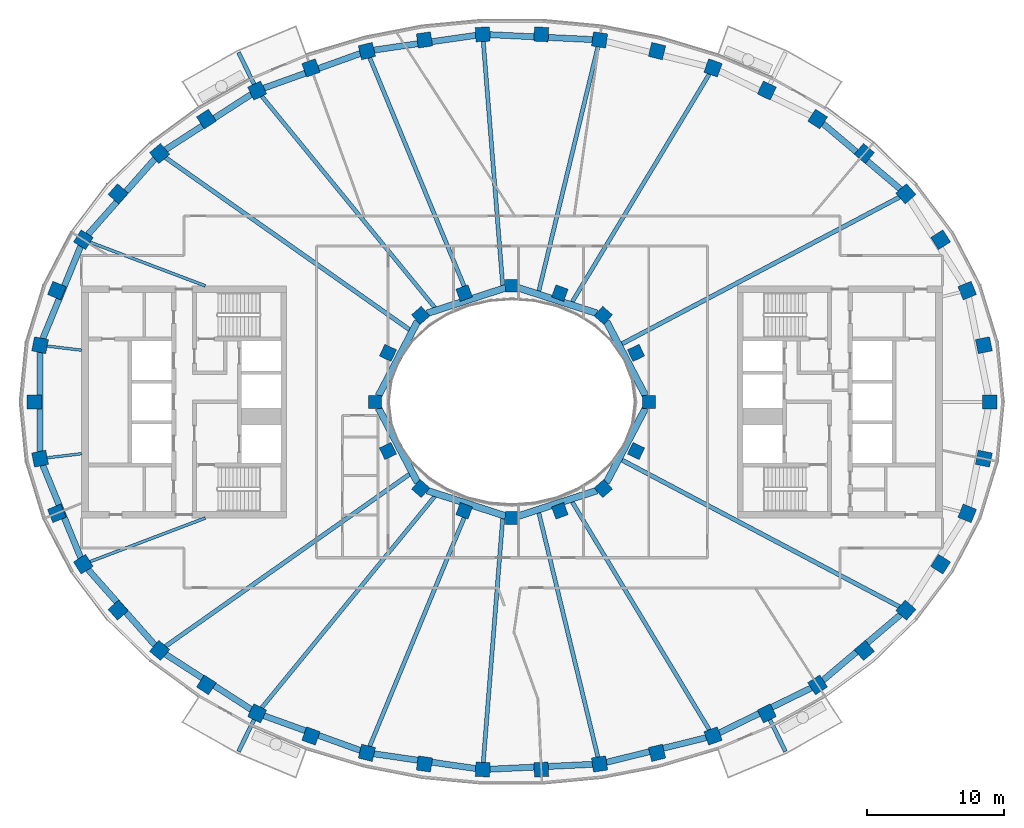
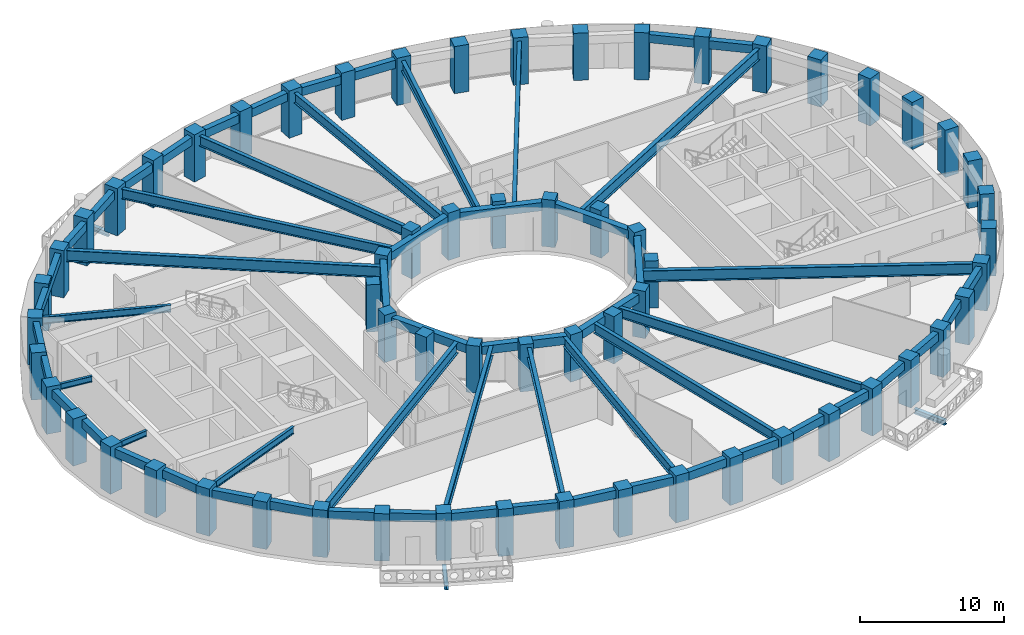
# One storey, part 1 of 15: 62 columns, 46 beams.
"""IFC4 building model written with IfcOpenShell, lengths in metres."""

from ifc_helpers import new_model, si_unit, direction, frame, origin, origin_2d, place, context, subcontext, project, spatial, rectangle, i_section, extrude, material, material_profile, profile_set, type_object, element, save


model = new_model("IFC4")

# Units and contexts
model_context = context("Model", 3, precision=1e-05, world=origin(), true_north=direction((0.0, 1.0)))
body_context = subcontext(model_context, "Body", "Model", "MODEL_VIEW")
ifc_project = project(units=[si_unit("LENGTHUNIT", "METRE"), si_unit("AREAUNIT", "SQUARE_METRE"), si_unit("VOLUMEUNIT", "CUBIC_METRE"), si_unit("PLANEANGLEUNIT", "RADIAN"), si_unit("MASSUNIT", "GRAM", prefix="KILO")], contexts=[model_context])

# Site, building, storey
site_placement = place(None, origin())
site = spatial("IfcSite", under=ifc_project, at=site_placement, CompositionType="ELEMENT")
building_placement = place(site_placement, origin())
building = spatial("IfcBuilding", under=site, at=building_placement, Name="Noorbagh Ring Tower", CompositionType="ELEMENT")
storey_placement = place(building_placement, frame((0.0, 0.0, 277.5)))
storey = spatial("IfcBuildingStorey", under=building, at=storey_placement, Name="L59", CompositionType="ELEMENT", Elevation=277.5)

# Columns
ifc_material_1 = material(Name="Concrete C50/60", Category="concrete")
ifc_material_profile_1 = material_profile(ifc_material_1, rectangle(XDim=1.050048828125, YDim=1.050048828125, at=origin_2d()), Name="RC1050x1050")
ifc_profile_set_1 = profile_set([ifc_material_profile_1], Name="Concrete C50/60")
column_type_1 = type_object("IfcColumnType", Name="STR-COL-RC1050x1050-C50-60", PredefinedType="COLUMN", material=ifc_profile_set_1)
for number, where, z_axis, x_axis, name in (
    (1, (34.944580078125, 0.0, 0.0), (0.0, 0.0, 1.0), (0.0, 1.0, 0.0), "L59/col/R1-01"),
    (2, (34.52685546875, 4.150634765625, 0.0), (0.0, 0.0, 1.0), (-0.19723040178, 0.9803571638, 0.0), "L59/col/R1-02"),
    (3, (33.30517578125, 8.1494140625, 0.0), (0.0, 0.0, 1.0), (-0.378989499959, 0.925400971969, 0.0), "L59/col/R1-03"),
    (4, (31.364990234375, 11.87109375, 0.0), (0.0, 0.0, 1.0), (-0.535190403059, 0.844731455833, 0.0), "L59/col/R1-04"),
    (5, (28.81884765625, 15.23046875, 0.0), (0.0, 0.0, 1.0), (-0.662635642662, 0.748941923699, 0.0), "L59/col/R1-05"),
    (6, (25.78271484375, 18.180419921875, 0.0), (0.0, 0.0, 1.0), (-0.763035199656, 0.646356932419, 0.0), "L59/col/R1-06"),
    (7, (22.362060546875, 20.699951171875, 0.0), (0.0, 0.0, 1.0), (-0.840247639643, 0.542202825586, 0.0), "L59/col/R1-07"),
    (8, (18.646240234375, 22.785400390625, 0.0), (0.0, 0.0, 1.0), (-0.898399080868, 0.439180021741, 0.0), "L59/col/R1-08"),
    (9, (14.70947265625, 24.44091796875, 0.0), (0.0, 0.0, 1.0), (-0.941024726094, 0.338337797003, 0.0), "L59/col/R1-09"),
    (10, (10.61328125, 25.673583984375, 0.0), (0.0, 0.0, 1.0), (-0.970829360981, 0.239771457553, 0.0), "L59/col/R1-10"),
    (11, (6.4091796875, 26.49072265625, 0.0), (0.0, 0.0, 1.0), (-0.989713114048, 0.143066249975, 0.0), "L59/col/R1-11"),
    (12, (2.14306640625, 26.89794921875, 0.0), (0.0, 0.0, 1.0), (-0.998868731212, 0.047552684538, 0.0), "L59/col/R1-12"),
    (13, (-2.14306640625, 26.89794921875, 0.0), (0.0, 0.0, 1.0), (-0.998868731212, -0.047552684538, 0.0), "L59/col/R1-13"),
    (14, (-6.4091796875, 26.49072265625, 0.0), (0.0, 0.0, 1.0), (-0.989713114048, -0.143066249975, 0.0), "L59/col/R1-14"),
    (15, (-10.61328125, 25.673583984375, 0.0), (0.0, 0.0, 1.0), (-0.970829360981, -0.239771457553, 0.0), "L59/col/R1-15"),
    (16, (-14.70947265625, 24.44091796875, 0.0), (0.0, 0.0, 1.0), (-0.941024726094, -0.338337797003, 0.0), "L59/col/R1-16"),
    (17, (-18.646240234375, 22.785400390625, 0.0), (0.0, 0.0, 1.0), (-0.898399080868, -0.439180021741, 0.0), "L59/col/R1-17"),
    (18, (-22.362060546875, 20.699951171875, 0.0), (0.0, 0.0, 1.0), (-0.840247639643, -0.542202825586, 0.0), "L59/col/R1-18"),
    (19, (-25.78271484375, 18.180419921875, 0.0), (0.0, 0.0, 1.0), (-0.763035199656, -0.646356932419, 0.0), "L59/col/R1-19"),
    (20, (-28.81884765625, 15.23046875, 0.0), (0.0, 0.0, 1.0), (-0.662635642662, -0.748941923699, 0.0), "L59/col/R1-20"),
    (21, (-31.364990234375, 11.87109375, 0.0), (0.0, 0.0, 1.0), (-0.535190403059, -0.844731455833, 0.0), "L59/col/R1-21"),
    (22, (-33.30517578125, 8.1494140625, 0.0), (0.0, 0.0, 1.0), (-0.378989499959, -0.925400971969, 0.0), "L59/col/R1-22"),
    (23, (-34.52685546875, 4.150634765625, 0.0), (0.0, 0.0, 1.0), (-0.19723040178, -0.9803571638, 0.0), "L59/col/R1-23"),
    (24, (-34.944580078125, 0.0, 0.0), (0.0, 0.0, 1.0), (0.0, -1.0, 0.0), "L59/col/R1-24"),
    (25, (-34.52685546875, -4.150634765625, 0.0), (0.0, 0.0, 1.0), (0.19723040178, -0.9803571638, 0.0), "L59/col/R1-25"),
    (26, (-33.30517578125, -8.1494140625, 0.0), (0.0, 0.0, 1.0), (0.378989499959, -0.925400971969, 0.0), "L59/col/R1-26"),
    (27, (-31.364990234375, -11.87109375, 0.0), (0.0, 0.0, 1.0), (0.535190403059, -0.844731455833, 0.0), "L59/col/R1-27"),
    (28, (-28.81884765625, -15.23046875, 0.0), (0.0, 0.0, 1.0), (0.662635642662, -0.748941923699, 0.0), "L59/col/R1-28"),
    (29, (-25.78271484375, -18.180419921875, 0.0), (0.0, 0.0, 1.0), (0.763035199656, -0.646356932419, 0.0), "L59/col/R1-29"),
    (30, (-22.362060546875, -20.699951171875, 0.0), (0.0, 0.0, 1.0), (0.840247639643, -0.542202825586, 0.0), "L59/col/R1-30"),
    (31, (-18.646240234375, -22.785400390625, 0.0), (0.0, 0.0, 1.0), (0.898399080868, -0.439180021741, 0.0), "L59/col/R1-31"),
    (32, (-14.70947265625, -24.44091796875, 0.0), (0.0, 0.0, 1.0), (0.941024726094, -0.338337797003, 0.0), "L59/col/R1-32"),
    (33, (-10.61328125, -25.673583984375, 0.0), (0.0, 0.0, 1.0), (0.970829360981, -0.239771457553, 0.0), "L59/col/R1-33"),
    (34, (-6.4091796875, -26.49072265625, 0.0), (0.0, 0.0, 1.0), (0.989713114048, -0.143066249975, 0.0), "L59/col/R1-34"),
    (35, (-2.14306640625, -26.89794921875, 0.0), (0.0, 0.0, 1.0), (0.998868731212, -0.047552684538, 0.0), "L59/col/R1-35"),
    (36, (2.14306640625, -26.89794921875, 0.0), (0.0, 0.0, 1.0), (0.998868731212, 0.047552684538, 0.0), "L59/col/R1-36"),
    (37, (6.4091796875, -26.49072265625, 0.0), (0.0, 0.0, 1.0), (0.989713114048, 0.143066249975, 0.0), "L59/col/R1-37"),
    (38, (10.61328125, -25.673583984375, 0.0), (0.0, 0.0, 1.0), (0.970829360981, 0.239771457553, 0.0), "L59/col/R1-38"),
    (39, (14.70947265625, -24.44091796875, 0.0), (0.0, 0.0, 1.0), (0.941024726094, 0.338337797003, 0.0), "L59/col/R1-39"),
    (40, (18.646240234375, -22.785400390625, 0.0), (0.0, 0.0, 1.0), (0.898399080868, 0.439180021741, 0.0), "L59/col/R1-40"),
    (41, (22.362060546875, -20.699951171875, 0.0), (0.0, 0.0, 1.0), (0.840247639643, 0.542202825586, 0.0), "L59/col/R1-41"),
    (42, (25.78271484375, -18.180419921875, 0.0), (0.0, 0.0, 1.0), (0.763035199656, 0.646356932419, 0.0), "L59/col/R1-42"),
    (43, (28.81884765625, -15.23046875, 0.0), (0.0, 0.0, 1.0), (0.662635642662, 0.748941923699, 0.0), "L59/col/R1-43"),
    (44, (31.364990234375, -11.87109375, 0.0), (0.0, 0.0, 1.0), (0.535190403059, 0.844731455833, 0.0), "L59/col/R1-44"),
    (45, (33.30517578125, -8.1494140625, 0.0), (0.0, 0.0, 1.0), (0.378989499959, 0.925400971969, 0.0), "L59/col/R1-45"),
    (46, (34.52685546875, -4.150634765625, 0.0), (0.0, 0.0, 1.0), (0.19723040178, 0.9803571638, 0.0), "L59/col/R1-46"),
):
    element("IfcColumn", number, at=place(storey_placement, frame(where, z_axis=z_axis, x_axis=x_axis)), inside=storey, type_object=column_type_1, Name=name, PredefinedType="COLUMN", context=body_context, shape_type="SweptSolid", body=[
        extrude(rectangle(XDim=1.050048828125, YDim=1.050048828125, at=origin_2d()), origin(), (0.0, 0.0, 1.0), 4.0),
    ])
ifc_material_2 = material(Name="Concrete C50/60", Category="concrete")
ifc_material_profile_2 = material_profile(ifc_material_2, rectangle(XDim=0.949951171875, YDim=0.949951171875, at=origin_2d()), Name="RC950x950")
ifc_profile_set_2 = profile_set([ifc_material_profile_2], Name="Concrete C50/60")
column_type_2 = type_object("IfcColumnType", Name="STR-ICOL-RC950x950-C50-60", PredefinedType="COLUMN", material=ifc_profile_set_2)
for number, where, z_axis, x_axis, name in (
    (47, (10.00830078125, 0.0, 0.0), (0.0, 0.0, 1.0), (0.0, 1.0, 0.0), "L59/col/IR2-W01"),
    (48, (9.07568359375, 3.58837890625, 0.0), (0.0, 0.0, 1.0), (-0.428666979171, 0.903462573087, 0.0), "L59/col/IR2-W03"),
    (49, (6.68212890625, 6.333740234375, 0.0), (0.0, 0.0, 1.0), (-0.75102249095, 0.660276622399, 0.0), "L59/col/IR2-W05"),
    (50, (3.5009765625, 7.967041015625, 0.0), (0.0, 0.0, 1.0), (-0.939019578916, 0.343863679984, 0.0), "L59/col/IR2-W07"),
    (51, (0.0, 8.5029296875, 0.0), (0.0, 0.0, 1.0), (-1.0, 0.0, 0.0), "L59/col/IR2-W09"),
    (52, (-3.5009765625, 7.967041015625, 0.0), (0.0, 0.0, 1.0), (-0.939019578916, -0.343863679984, 0.0), "L59/col/IR2-W11"),
    (53, (-6.68212890625, 6.333740234375, 0.0), (0.0, 0.0, 1.0), (-0.75102249095, -0.660276622399, 0.0), "L59/col/IR2-W13"),
    (54, (-9.07568359375, 3.58837890625, 0.0), (0.0, 0.0, 1.0), (-0.428666979171, -0.903462573087, 0.0), "L59/col/IR2-W15"),
    (55, (-10.00830078125, 0.0, 0.0), (0.0, 0.0, 1.0), (0.0, -1.0, 0.0), "L59/col/IR2-W17"),
    (56, (-9.07568359375, -3.58837890625, 0.0), (0.0, 0.0, 1.0), (0.428666979171, -0.903462573087, 0.0), "L59/col/IR2-W19"),
    (57, (-6.68212890625, -6.333740234375, 0.0), (0.0, 0.0, 1.0), (0.75102249095, -0.660276622399, 0.0), "L59/col/IR2-W21"),
    (58, (-3.5009765625, -7.967041015625, 0.0), (0.0, 0.0, 1.0), (0.939019578916, -0.343863679984, 0.0), "L59/col/IR2-W23"),
    (59, (0.0, -8.5029296875, 0.0), (0.0, 0.0, 1.0), (1.0, 0.0, 0.0), "L59/col/IR2-W25"),
    (60, (3.5009765625, -7.967041015625, 0.0), (0.0, 0.0, 1.0), (0.939019578916, 0.343863679984, 0.0), "L59/col/IR2-W27"),
    (61, (6.68212890625, -6.333740234375, 0.0), (0.0, 0.0, 1.0), (0.75102249095, 0.660276622399, 0.0), "L59/col/IR2-W29"),
    (62, (9.07568359375, -3.58837890625, 0.0), (0.0, 0.0, 1.0), (0.428666979171, 0.903462573087, 0.0), "L59/col/IR2-W31"),
):
    element("IfcColumn", number, at=place(storey_placement, frame(where, z_axis=z_axis, x_axis=x_axis)), inside=storey, type_object=column_type_2, Name=name, PredefinedType="COLUMN", context=body_context, shape_type="SweptSolid", body=[
        extrude(rectangle(XDim=0.949951171875, YDim=0.949951171875, at=origin_2d()), origin(), (0.0, 0.0, 1.0), 4.0),
    ])

# Beams
ifc_material_3 = material(Name="Steel S355", Category="steel")
ifc_material_profile_3 = material_profile(ifc_material_3, i_section(OverallWidth=0.300048828125, OverallDepth=0.39990234375, WebThickness=0.013427734375, FlangeThickness=0.02392578125, FilletRadius=0.027099609375, at=origin_2d()), Name="HEB400")
ifc_profile_set_3 = profile_set([ifc_material_profile_3], Name="Steel S355")
beam_type_1 = type_object("IfcBeamType", Name="STR-BALCONY-BRACKET-HEB400", PredefinedType="BEAM", material=ifc_profile_set_3)
for number, where, z_axis, x_axis, name in (
    (63, (-18.8681640625, 23.239013671875, -0.5), (-0.439233708137, 0.898372834427, 0.0), (-0.898372834427, -0.439233708137, 0.0), "Balcony bracket beam BN05"),
    (64, (-18.8681640625, -23.239013671875, -0.5), (-0.439233708137, -0.898372834427, 0.0), (0.898372834427, -0.439233708137, 0.0), "Balcony bracket beam BS02"),
    (65, (18.8681640625, -23.239013671875, -0.5), (0.439233708137, -0.898372834427, 0.0), (0.898372834427, 0.439233708137, 0.0), "Balcony bracket beam BS05"),
):
    element("IfcBeam", number, at=place(storey_placement, frame(where, z_axis=z_axis, x_axis=x_axis)), inside=storey, type_object=beam_type_1, Name=name, PredefinedType="BEAM", context=body_context, shape_type="SweptSolid", body=[
        extrude(i_section(OverallWidth=0.300048828125, OverallDepth=0.39990234375, WebThickness=0.013427734375, FlangeThickness=0.02392578125, FilletRadius=0.027099609375, at=origin_2d()), origin(), (0.0, 0.0, 1.0), 2.60009765625),
    ])
ifc_material_4 = material(Name="Steel S355", Category="steel")
ifc_material_profile_4 = material_profile(ifc_material_4, i_section(OverallWidth=0.199951171875, OverallDepth=0.5, WebThickness=0.01025390625, FlangeThickness=0.01611328125, FilletRadius=0.02099609375, at=origin_2d()), Name="IPE500")
ifc_profile_set_4 = profile_set([ifc_material_profile_4], Name="Steel S355")
beam_type_2 = type_object("IfcBeamType", Name="STR-RAD-IPE500", PredefinedType="BEAM", material=ifc_profile_set_4)
for number, where, z_axis, x_axis, name in (
    (66, (-34.023681640625, 4.090087890625, 3.449951171875), (0.992856079473, -0.119318085189, 0.0), (0.119318085189, 0.992856079473, 0.0), "L59/bm/RD23"),
    (67, (-34.023681640625, -4.090087890625, 3.449951171875), (0.992856079473, 0.119318085189, 0.0), (-0.119318085189, 0.992856079473, 0.0), "L59/bm/RD25"),
):
    element("IfcBeam", number, at=place(storey_placement, frame(where, z_axis=z_axis, x_axis=x_axis)), inside=storey, type_object=beam_type_2, Name=name, PredefinedType="BEAM", context=body_context, shape_type="SweptSolid", body=[
        extrude(i_section(OverallWidth=0.199951171875, OverallDepth=0.5, WebThickness=0.01025390625, FlangeThickness=0.01611328125, FilletRadius=0.02099609375, at=origin_2d()), origin(), (0.0, 0.0, 1.0), 2.561767578125),
    ])
ifc_material_5 = material(Name="Steel S355", Category="steel")
ifc_material_profile_5 = material_profile(ifc_material_5, i_section(OverallWidth=0.219970703125, OverallDepth=0.60009765625, WebThickness=0.011962890625, FlangeThickness=0.01904296875, FilletRadius=0.02392578125, at=origin_2d()), Name="IPE600")
ifc_profile_set_5 = profile_set([ifc_material_profile_5], Name="Steel S355")
beam_type_3 = type_object("IfcBeamType", Name="STR-RAD-IPE600", PredefinedType="BEAM", material=ifc_profile_set_5)
for number, where, z_axis, x_axis, name in (
    (68, (-30.88232421875, 11.688232421875, 3.39990234375), (0.93525673757, -0.353970104431, 0.0), (0.353970104431, 0.93525673757, 0.0), "L59/bm/RD21"),
    (69, (-30.88232421875, -11.688232421875, 3.39990234375), (0.93525673757, 0.353970104431, 0.0), (-0.353970104431, 0.93525673757, 0.0), "L59/bm/RD27"),
):
    element("IfcBeam", number, at=place(storey_placement, frame(where, z_axis=z_axis, x_axis=x_axis)), inside=storey, type_object=beam_type_3, Name=name, PredefinedType="BEAM", context=body_context, shape_type="SweptSolid", body=[
        extrude(i_section(OverallWidth=0.219970703125, OverallDepth=0.60009765625, WebThickness=0.011962890625, FlangeThickness=0.01904296875, FilletRadius=0.02392578125, at=origin_2d()), origin(), (0.0, 0.0, 1.0), 9.027099609375),
    ])
ifc_material_6 = material(Name="Steel S355", Category="steel")
ifc_material_profile_6 = material_profile(ifc_material_6, i_section(OverallWidth=0.300048828125, OverallDepth=0.85009765625, WebThickness=0.013916015625, FlangeThickness=0.028076171875, at=origin_2d()), Name="PG850x300x14x28")
ifc_profile_set_6 = profile_set([ifc_material_profile_6], Name="Steel S355")
beam_type_4 = type_object("IfcBeamType", Name="STR-RAD-PG850x300x14x28", PredefinedType="BEAM", material=ifc_profile_set_6)
beam_1_placement = place(storey_placement, frame((14.44384765625, 23.999267578125, 3.27490234375), z_axis=(-0.515656906989, -0.856795164712, 0.0), x_axis=(0.856795164712, -0.515656906989, 0.0)))
element("IfcBeam", 70, at=beam_1_placement, inside=storey, type_object=beam_type_4, Name="L59/bm/RD09", PredefinedType="BEAM", context=body_context, shape_type="SweptSolid", body=[
    extrude(i_section(OverallWidth=0.300048828125, OverallDepth=0.85009765625, WebThickness=0.013916015625, FlangeThickness=0.028076171875, at=origin_2d()), origin(), (0.0, 0.0, 1.0), 19.471923828125),
])
beam_2_placement = place(storey_placement, frame((6.2900390625, 25.997802734375, 3.27490234375), z_axis=(-0.23516000693, -0.971956671432, 0.0), x_axis=(0.971956671432, -0.23516000693, 0.0)))
element("IfcBeam", 71, at=beam_2_placement, inside=storey, type_object=beam_type_4, Name="L59/bm/RD11", PredefinedType="BEAM", context=body_context, shape_type="SweptSolid", body=[
    extrude(i_section(OverallWidth=0.300048828125, OverallDepth=0.85009765625, WebThickness=0.013916015625, FlangeThickness=0.028076171875, at=origin_2d()), origin(), (0.0, 0.0, 1.0), 18.406005859375),
])
beam_3_placement = place(storey_placement, frame((-2.10302734375, 26.394287109375, 3.27490234375), z_axis=(0.079426932636, -0.996840690568, 0.0), x_axis=(0.996840690568, 0.079426932636, 0.0)))
element("IfcBeam", 72, at=beam_3_placement, inside=storey, type_object=beam_type_4, Name="L59/bm/RD13", PredefinedType="BEAM", context=body_context, shape_type="SweptSolid", body=[
    extrude(i_section(OverallWidth=0.300048828125, OverallDepth=0.85009765625, WebThickness=0.013916015625, FlangeThickness=0.028076171875, at=origin_2d()), origin(), (0.0, 0.0, 1.0), 17.92626953125),
])
beam_4_placement = place(storey_placement, frame((-10.41796875, 25.201416015625, 3.27490234375), z_axis=(0.382034660206, -0.924147995941, 0.0), x_axis=(0.924147995941, 0.382034660206, 0.0)))
element("IfcBeam", 73, at=beam_4_placement, inside=storey, type_object=beam_type_4, Name="L59/bm/RD15", PredefinedType="BEAM", context=body_context, shape_type="SweptSolid", body=[
    extrude(i_section(OverallWidth=0.300048828125, OverallDepth=0.85009765625, WebThickness=0.013916015625, FlangeThickness=0.028076171875, at=origin_2d()), origin(), (0.0, 0.0, 1.0), 18.9267578125),
])
for number, where, z_axis, x_axis, name in (
    (74, (-18.3173828125, 22.383544921875, 3.27490234375), (0.633312925982, -0.77389581843, 0.0), (0.77389581843, 0.633312925982, 0.0), "L59/bm/RD17"),
    (75, (-18.3173828125, -22.383544921875, 3.27490234375), (0.633312925982, 0.77389581843, 0.0), (-0.77389581843, 0.633312925982, 0.0), "L59/bm/RD31"),
):
    element("IfcBeam", number, at=place(storey_placement, frame(where, z_axis=z_axis, x_axis=x_axis)), inside=storey, type_object=beam_type_4, Name=name, PredefinedType="BEAM", context=body_context, shape_type="SweptSolid", body=[
        extrude(i_section(OverallWidth=0.300048828125, OverallDepth=0.85009765625, WebThickness=0.013916015625, FlangeThickness=0.028076171875, at=origin_2d()), origin(), (0.0, 0.0, 1.0), 19.993896484375),
    ])
beam_5_placement = place(storey_placement, frame((-10.41796875, -25.201416015625, 3.27490234375), z_axis=(0.382034660206, 0.924147995941, 0.0), x_axis=(-0.924147995941, 0.382034660206, 0.0)))
element("IfcBeam", 76, at=beam_5_placement, inside=storey, type_object=beam_type_4, Name="L59/bm/RD33", PredefinedType="BEAM", context=body_context, shape_type="SweptSolid", body=[
    extrude(i_section(OverallWidth=0.300048828125, OverallDepth=0.85009765625, WebThickness=0.013916015625, FlangeThickness=0.028076171875, at=origin_2d()), origin(), (0.0, 0.0, 1.0), 18.9267578125),
])
beam_6_placement = place(storey_placement, frame((-2.10302734375, -26.394287109375, 3.27490234375), z_axis=(0.079426932636, 0.996840690568, 0.0), x_axis=(-0.996840690568, 0.079426932636, 0.0)))
element("IfcBeam", 77, at=beam_6_placement, inside=storey, type_object=beam_type_4, Name="L59/bm/RD35", PredefinedType="BEAM", context=body_context, shape_type="SweptSolid", body=[
    extrude(i_section(OverallWidth=0.300048828125, OverallDepth=0.85009765625, WebThickness=0.013916015625, FlangeThickness=0.028076171875, at=origin_2d()), origin(), (0.0, 0.0, 1.0), 17.92626953125),
])
beam_7_placement = place(storey_placement, frame((6.2900390625, -25.997802734375, 3.27490234375), z_axis=(-0.23516000693, 0.971956671432, 0.0), x_axis=(-0.971956671432, -0.23516000693, 0.0)))
element("IfcBeam", 78, at=beam_7_placement, inside=storey, type_object=beam_type_4, Name="L59/bm/RD37", PredefinedType="BEAM", context=body_context, shape_type="SweptSolid", body=[
    extrude(i_section(OverallWidth=0.300048828125, OverallDepth=0.85009765625, WebThickness=0.013916015625, FlangeThickness=0.028076171875, at=origin_2d()), origin(), (0.0, 0.0, 1.0), 18.406005859375),
])
beam_8_placement = place(storey_placement, frame((14.44384765625, -23.999267578125, 3.27490234375), z_axis=(-0.515656906989, 0.856795164712, 0.0), x_axis=(-0.856795164712, -0.515656906989, 0.0)))
element("IfcBeam", 79, at=beam_8_placement, inside=storey, type_object=beam_type_4, Name="L59/bm/RD39", PredefinedType="BEAM", context=body_context, shape_type="SweptSolid", body=[
    extrude(i_section(OverallWidth=0.300048828125, OverallDepth=0.85009765625, WebThickness=0.013916015625, FlangeThickness=0.028076171875, at=origin_2d()), origin(), (0.0, 0.0, 1.0), 19.471923828125),
])
ifc_material_7 = material(Name="Steel S355", Category="steel")
ifc_material_profile_7 = material_profile(ifc_material_7, i_section(OverallWidth=0.320068359375, OverallDepth=0.949951171875, WebThickness=0.01611328125, FlangeThickness=0.030029296875, at=origin_2d()), Name="PG950x320x16x30")
ifc_profile_set_7 = profile_set([ifc_material_profile_7], Name="Steel S355")
beam_type_5 = type_object("IfcBeamType", Name="STR-RAD-PG950x320x16x30", PredefinedType="BEAM", material=ifc_profile_set_7)
beam_9_placement = place(storey_placement, frame((28.35888671875, 14.9873046875, 3.22509765625), z_axis=(-0.884128728226, -0.467243396878, 0.0), x_axis=(0.467243396878, -0.884128728226, 0.0)))
element("IfcBeam", 80, at=beam_9_placement, inside=storey, type_object=beam_type_5, Name="L59/bm/RD05", PredefinedType="BEAM", context=body_context, shape_type="SweptSolid", body=[
    extrude(i_section(OverallWidth=0.320068359375, OverallDepth=0.949951171875, WebThickness=0.01611328125, FlangeThickness=0.030029296875, at=origin_2d()), origin(), (0.0, 0.0, 1.0), 22.98486328125),
])
for number, where, z_axis, x_axis, name in (
    (81, (-25.355712890625, 17.87939453125, 3.22509765625), (0.817252873121, -0.57627922171, 0.0), (0.57627922171, 0.817252873121, 0.0), "L59/bm/RD19"),
    (82, (-25.355712890625, -17.87939453125, 3.22509765625), (0.817252873121, 0.57627922171, 0.0), (-0.57627922171, 0.817252873121, 0.0), "L59/bm/RD29"),
):
    element("IfcBeam", number, at=place(storey_placement, frame(where, z_axis=z_axis, x_axis=x_axis)), inside=storey, type_object=beam_type_5, Name=name, PredefinedType="BEAM", context=body_context, shape_type="SweptSolid", body=[
        extrude(i_section(OverallWidth=0.320068359375, OverallDepth=0.949951171875, WebThickness=0.01611328125, FlangeThickness=0.030029296875, at=origin_2d()), origin(), (0.0, 0.0, 1.0), 21.8564453125),
    ])
beam_10_placement = place(storey_placement, frame((28.35888671875, -14.9873046875, 3.22509765625), z_axis=(-0.884128728226, 0.467243396878, 0.0), x_axis=(-0.467243396878, -0.884128728226, 0.0)))
element("IfcBeam", 83, at=beam_10_placement, inside=storey, type_object=beam_type_5, Name="L59/bm/RD43", PredefinedType="BEAM", context=body_context, shape_type="SweptSolid", body=[
    extrude(i_section(OverallWidth=0.320068359375, OverallDepth=0.949951171875, WebThickness=0.01611328125, FlangeThickness=0.030029296875, at=origin_2d()), origin(), (0.0, 0.0, 1.0), 22.98486328125),
])
ifc_material_8 = material(Name="Concrete C40/50", Category="concrete")
ifc_material_profile_8 = material_profile(ifc_material_8, rectangle(XDim=0.5, YDim=0.699951171875, at=origin_2d()), Name="RC500x700")
ifc_profile_set_8 = profile_set([ifc_material_profile_8], Name="Concrete C40/50")
beam_type_6 = type_object("IfcBeamType", Name="STR-RB-RC500x700-C40-50", PredefinedType="BEAM", material=ifc_profile_set_8)
beam_11_placement = place(storey_placement, frame((9.768310546875, 0.457275390625, 3.35009765625), z_axis=(-0.464944392106, 0.885339885157, 0.0), x_axis=(-0.885339885157, -0.464944392106, 0.0)))
element("IfcBeam", 84, at=beam_11_placement, inside=storey, type_object=beam_type_6, Name="L59/bm/RG01", PredefinedType="BEAM", context=body_context, shape_type="SweptSolid", body=[
    extrude(rectangle(XDim=0.5, YDim=0.699951171875, at=origin_2d()), origin(), (0.0, 0.0, 1.0), 6.14892578125),
])
for number, where, z_axis, x_axis, name in (
    (85, (6.209228515625, 6.4873046875, 3.35009765625), (-0.951148201425, 0.308734673995, 0.0), (-0.308734673995, -0.951148201425, 0.0), "L59/bm/RG03"),
    (86, (-0.4560546875, 8.354736328125, 3.35009765625), (-0.951148201425, -0.308734673995, 0.0), (0.308734673995, -0.951148201425, 0.0), "L59/bm/RG05"),
):
    element("IfcBeam", number, at=place(storey_placement, frame(where, z_axis=z_axis, x_axis=x_axis)), inside=storey, type_object=beam_type_6, Name=name, PredefinedType="BEAM", context=body_context, shape_type="SweptSolid", body=[
        extrude(rectangle(XDim=0.5, YDim=0.699951171875, at=origin_2d()), origin(), (0.0, 0.0, 1.0), 6.048583984375),
    ])
for number, where, z_axis, x_axis, name in (
    (87, (-6.909423828125, 5.901123046875, 3.35009765625), (-0.464944392106, -0.885339885157, 0.0), (0.885339885157, -0.464944392106, 0.0), "L59/bm/RG07"),
    (88, (-9.768310546875, -0.457275390625, 3.35009765625), (0.464944392106, -0.885339885157, 0.0), (0.885339885157, 0.464944392106, 0.0), "L59/bm/RG09"),
):
    element("IfcBeam", number, at=place(storey_placement, frame(where, z_axis=z_axis, x_axis=x_axis)), inside=storey, type_object=beam_type_6, Name=name, PredefinedType="BEAM", context=body_context, shape_type="SweptSolid", body=[
        extrude(rectangle(XDim=0.5, YDim=0.699951171875, at=origin_2d()), origin(), (0.0, 0.0, 1.0), 6.14892578125),
    ])
for number, where, z_axis, x_axis, name in (
    (89, (-6.209228515625, -6.4873046875, 3.35009765625), (0.951148201425, -0.308734673995, 0.0), (0.308734673995, 0.951148201425, 0.0), "L59/bm/RG11"),
    (90, (0.4560546875, -8.354736328125, 3.35009765625), (0.951148201425, 0.308734673995, 0.0), (-0.308734673995, 0.951148201425, 0.0), "L59/bm/RG13"),
):
    element("IfcBeam", number, at=place(storey_placement, frame(where, z_axis=z_axis, x_axis=x_axis)), inside=storey, type_object=beam_type_6, Name=name, PredefinedType="BEAM", context=body_context, shape_type="SweptSolid", body=[
        extrude(rectangle(XDim=0.5, YDim=0.699951171875, at=origin_2d()), origin(), (0.0, 0.0, 1.0), 6.048583984375),
    ])
beam_12_placement = place(storey_placement, frame((6.909423828125, -5.901123046875, 3.35009765625), z_axis=(0.464944392106, 0.885339885157, 0.0), x_axis=(-0.885339885157, 0.464944392106, 0.0)))
element("IfcBeam", 91, at=beam_12_placement, inside=storey, type_object=beam_type_6, Name="L59/bm/RG15", PredefinedType="BEAM", context=body_context, shape_type="SweptSolid", body=[
    extrude(rectangle(XDim=0.5, YDim=0.699951171875, at=origin_2d()), origin(), (0.0, 0.0, 1.0), 6.14892578125),
])
ifc_material_9 = material(Name="Concrete C40/50", Category="concrete")
ifc_material_profile_9 = material_profile(ifc_material_9, rectangle(XDim=0.449951171875, YDim=0.699951171875, at=origin_2d()), Name="RC450x700")
ifc_profile_set_9 = profile_set([ifc_material_profile_9], Name="Concrete C40/50")
beam_type_7 = type_object("IfcBeamType", Name="STR-SB-RC450x700-C40-50", PredefinedType="BEAM", material=ifc_profile_set_9)
beam_13_placement = place(storey_placement, frame((28.42919921875, 15.560546875, 3.35009765625), z_axis=(-0.76304148439, 0.646349513111, 0.0), x_axis=(-0.646349513111, -0.76304148439, 0.0)))
element("IfcBeam", 92, at=beam_13_placement, inside=storey, type_object=beam_type_7, Name="L59/bm/SP05", PredefinedType="BEAM", context=body_context, shape_type="SweptSolid", body=[
    extrude(rectangle(XDim=0.449951171875, YDim=0.699951171875, at=origin_2d()), origin(), (0.0, 0.0, 1.0), 7.44189453125),
])
beam_14_placement = place(storey_placement, frame((5.90234375, 26.514892578125, 3.35009765625), z_axis=(-0.998868796295, 0.047551317418, 0.0), x_axis=(-0.047551317418, -0.998868796295, 0.0)))
element("IfcBeam", 93, at=beam_14_placement, inside=storey, type_object=beam_type_7, Name="L59/bm/SP11", PredefinedType="BEAM", context=body_context, shape_type="SweptSolid", body=[
    extrude(rectangle(XDim=0.449951171875, YDim=0.699951171875, at=origin_2d()), origin(), (0.0, 0.0, 1.0), 7.54736328125),
])
beam_15_placement = place(storey_placement, frame((-2.6455078125, 26.825439453125, 3.35009765625), z_axis=(-0.989713798568, -0.143061514477, 0.0), x_axis=(0.143061514477, -0.989713798568, 0.0)))
element("IfcBeam", 94, at=beam_15_placement, inside=storey, type_object=beam_type_7, Name="L59/bm/SP13", PredefinedType="BEAM", context=body_context, shape_type="SweptSolid", body=[
    extrude(rectangle(XDim=0.449951171875, YDim=0.699951171875, at=origin_2d()), origin(), (0.0, 0.0, 1.0), 7.54296875),
])
beam_16_placement = place(storey_placement, frame((-11.091064453125, 25.501708984375, 3.35009765625), z_axis=(-0.941025143763, -0.33833663533, 0.0), x_axis=(0.33833663533, -0.941025143763, 0.0)))
element("IfcBeam", 95, at=beam_16_placement, inside=storey, type_object=beam_type_7, Name="L59/bm/SP15", PredefinedType="BEAM", context=body_context, shape_type="SweptSolid", body=[
    extrude(rectangle(XDim=0.449951171875, YDim=0.699951171875, at=origin_2d()), origin(), (0.0, 0.0, 1.0), 7.5205078125),
])
beam_17_placement = place(storey_placement, frame((-19.07373046875, 22.509521484375, 3.35009765625), z_axis=(-0.840252970371, -0.542194564509, 0.0), x_axis=(0.542194564509, -0.840252970371, 0.0)))
element("IfcBeam", 96, at=beam_17_placement, inside=storey, type_object=beam_type_7, Name="L59/bm/SP17", PredefinedType="BEAM", context=body_context, shape_type="SweptSolid", body=[
    extrude(rectangle(XDim=0.449951171875, YDim=0.699951171875, at=origin_2d()), origin(), (0.0, 0.0, 1.0), 7.47509765625),
])
beam_18_placement = place(storey_placement, frame((-26.12109375, 17.798095703125, 3.35009765625), z_axis=(-0.662613733697, -0.748961307356, 0.0), x_axis=(0.748961307356, -0.662613733697, 0.0)))
element("IfcBeam", 97, at=beam_18_placement, inside=storey, type_object=beam_type_7, Name="L59/bm/SP19", PredefinedType="BEAM", context=body_context, shape_type="SweptSolid", body=[
    extrude(rectangle(XDim=0.449951171875, YDim=0.699951171875, at=origin_2d()), origin(), (0.0, 0.0, 1.0), 7.402099609375),
])
beam_19_placement = place(storey_placement, frame((-31.5595703125, 11.39599609375, 3.35009765625), z_axis=(-0.378991512565, -0.925400147722, 0.0), x_axis=(0.925400147722, -0.378991512565, 0.0)))
element("IfcBeam", 98, at=beam_19_placement, inside=storey, type_object=beam_type_7, Name="L59/bm/SP21", PredefinedType="BEAM", context=body_context, shape_type="SweptSolid", body=[
    extrude(rectangle(XDim=0.449951171875, YDim=0.699951171875, at=origin_2d()), origin(), (0.0, 0.0, 1.0), 7.314697265625),
])
beam_20_placement = place(storey_placement, frame((-34.52685546875, 3.63525390625, 3.35009765625), z_axis=(0.0, -1.0, 0.0), x_axis=(1.0, 0.0, 0.0)))
element("IfcBeam", 99, at=beam_20_placement, inside=storey, type_object=beam_type_7, Name="L59/bm/SP23", PredefinedType="BEAM", context=body_context, shape_type="SweptSolid", body=[
    extrude(rectangle(XDim=0.449951171875, YDim=0.699951171875, at=origin_2d()), origin(), (0.0, 0.0, 1.0), 7.2705078125),
])
beam_21_placement = place(storey_placement, frame((-34.331787109375, -4.626953125, 3.35009765625), z_axis=(0.378991512565, -0.925400147722, 0.0), x_axis=(0.925400147722, 0.378991512565, 0.0)))
element("IfcBeam", 100, at=beam_21_placement, inside=storey, type_object=beam_type_7, Name="L59/bm/SP25", PredefinedType="BEAM", context=body_context, shape_type="SweptSolid", body=[
    extrude(rectangle(XDim=0.449951171875, YDim=0.699951171875, at=origin_2d()), origin(), (0.0, 0.0, 1.0), 7.314697265625),
])
beam_22_placement = place(storey_placement, frame((-31.02587890625, -12.254150390625, 3.35009765625), z_axis=(0.662613733697, -0.748961307356, 0.0), x_axis=(0.748961307356, 0.662613733697, 0.0)))
element("IfcBeam", 101, at=beam_22_placement, inside=storey, type_object=beam_type_7, Name="L59/bm/SP27", PredefinedType="BEAM", context=body_context, shape_type="SweptSolid", body=[
    extrude(rectangle(XDim=0.449951171875, YDim=0.699951171875, at=origin_2d()), origin(), (0.0, 0.0, 1.0), 7.402099609375),
])
beam_23_placement = place(storey_placement, frame((-25.354736328125, -18.45654296875, 3.35009765625), z_axis=(0.840252970371, -0.542194564509, 0.0), x_axis=(0.542194564509, 0.840252970371, 0.0)))
element("IfcBeam", 102, at=beam_23_placement, inside=storey, type_object=beam_type_7, Name="L59/bm/SP29", PredefinedType="BEAM", context=body_context, shape_type="SweptSolid", body=[
    extrude(rectangle(XDim=0.449951171875, YDim=0.699951171875, at=origin_2d()), origin(), (0.0, 0.0, 1.0), 7.47509765625),
])
beam_24_placement = place(storey_placement, frame((-18.16796875, -22.957275390625, 3.35009765625), z_axis=(0.941025143763, -0.33833663533, 0.0), x_axis=(0.33833663533, 0.941025143763, 0.0)))
element("IfcBeam", 103, at=beam_24_placement, inside=storey, type_object=beam_type_7, Name="L59/bm/SP31", PredefinedType="BEAM", context=body_context, shape_type="SweptSolid", body=[
    extrude(rectangle(XDim=0.449951171875, YDim=0.699951171875, at=origin_2d()), origin(), (0.0, 0.0, 1.0), 7.5205078125),
])
beam_25_placement = place(storey_placement, frame((-10.11083984375, -25.746337890625, 3.35009765625), z_axis=(0.989713798568, -0.143061514477, 0.0), x_axis=(0.143061514477, 0.989713798568, 0.0)))
element("IfcBeam", 104, at=beam_25_placement, inside=storey, type_object=beam_type_7, Name="L59/bm/SP33", PredefinedType="BEAM", context=body_context, shape_type="SweptSolid", body=[
    extrude(rectangle(XDim=0.449951171875, YDim=0.699951171875, at=origin_2d()), origin(), (0.0, 0.0, 1.0), 7.54296875),
])
beam_26_placement = place(storey_placement, frame((-1.636474609375, -26.873779296875, 3.35009765625), z_axis=(0.998868796295, 0.047551317418, 0.0), x_axis=(-0.047551317418, 0.998868796295, 0.0)))
element("IfcBeam", 105, at=beam_26_placement, inside=storey, type_object=beam_type_7, Name="L59/bm/SP35", PredefinedType="BEAM", context=body_context, shape_type="SweptSolid", body=[
    extrude(rectangle(XDim=0.449951171875, YDim=0.699951171875, at=origin_2d()), origin(), (0.0, 0.0, 1.0), 7.54736328125),
])
beam_27_placement = place(storey_placement, frame((6.902099609375, -26.369140625, 3.35009765625), z_axis=(0.970832363292, 0.239759300935, 0.0), x_axis=(-0.239759300935, 0.970832363292, 0.0)))
element("IfcBeam", 106, at=beam_27_placement, inside=storey, type_object=beam_type_7, Name="L59/bm/SP37", PredefinedType="BEAM", context=body_context, shape_type="SweptSolid", body=[
    extrude(rectangle(XDim=0.449951171875, YDim=0.699951171875, at=origin_2d()), origin(), (0.0, 0.0, 1.0), 7.5341796875),
])
beam_28_placement = place(storey_placement, frame((15.166015625, -24.2177734375, 3.35009765625), z_axis=(0.898394634575, 0.439189117087, 0.0), x_axis=(-0.439189117087, 0.898394634575, 0.0)))
element("IfcBeam", 107, at=beam_28_placement, inside=storey, type_object=beam_type_7, Name="L59/bm/SP39", PredefinedType="BEAM", context=body_context, shape_type="SweptSolid", body=[
    extrude(rectangle(XDim=0.449951171875, YDim=0.699951171875, at=origin_2d()), origin(), (0.0, 0.0, 1.0), 7.501220703125),
])
beam_29_placement = place(storey_placement, frame((22.750732421875, -20.37060546875, 3.35009765625), z_axis=(0.76304148439, 0.646349513111, 0.0), x_axis=(-0.646349513111, 0.76304148439, 0.0)))
element("IfcBeam", 108, at=beam_29_placement, inside=storey, type_object=beam_type_7, Name="L59/bm/SP41", PredefinedType="BEAM", context=body_context, shape_type="SweptSolid", body=[
    extrude(rectangle(XDim=0.449951171875, YDim=0.699951171875, at=origin_2d()), origin(), (0.0, 0.0, 1.0), 7.44189453125),
])

save(model, "model.ifc")
